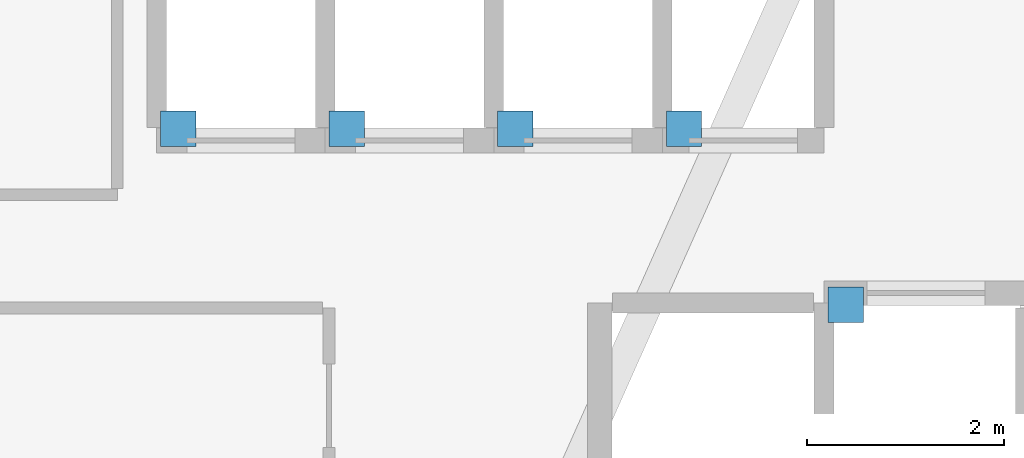
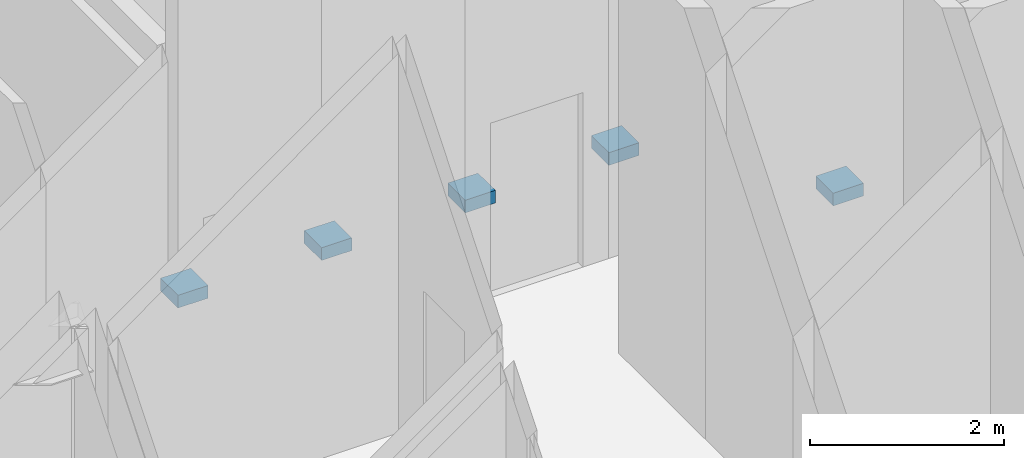
# One storey, part 9 of 15: 5 discrete accessories.
"""IFC4 building model written with IfcOpenShell, lengths in metres."""

from ifc_helpers import new_model, si_unit, direction, frame, origin, origin_2d, place, context, subcontext, project, spatial, rectangle, extrude, material, type_object, element, save


model = new_model("IFC4")

# Units and contexts
model_context = context("Model", 3, precision=1e-05, world=origin(), true_north=direction((0.0, 1.0)))
body_context = subcontext(model_context, "Body", "Model", "MODEL_VIEW")
ifc_project = project(units=[si_unit("LENGTHUNIT", "METRE"), si_unit("AREAUNIT", "SQUARE_METRE"), si_unit("VOLUMEUNIT", "CUBIC_METRE"), si_unit("PLANEANGLEUNIT", "RADIAN"), si_unit("MASSUNIT", "GRAM", prefix="KILO")], contexts=[model_context])

# Site, building, storey
site_placement = place(None, origin())
site = spatial("IfcSite", under=ifc_project, at=site_placement, CompositionType="ELEMENT")
building_placement = place(site_placement, origin())
building = spatial("IfcBuilding", under=site, at=building_placement, Name="Tharavind Bronze Gate", CompositionType="ELEMENT")
storey_placement = place(building_placement, frame((0.0, 0.0, 165.14990234375)))
storey = spatial("IfcBuildingStorey", under=building, at=storey_placement, Name="L42", CompositionType="ELEMENT", Elevation=165.14990234375)

# Discrete accessories
ifc_material = material(Name="Galvanised Steel S355", Category="steel")
discrete_accessory_type = type_object("IfcDiscreteAccessoryType", Name="LIFT GUIDE RAIL BRACKET", PredefinedType="BRACKET", material=ifc_material)
for number, where, z_axis, x_axis, name in (
    (1, (-3.280029296875, 5.3701171875, 1.1201171875), (0.0, 0.0, 1.0), (1.0, 0.0, 0.0), "Lift PL5 guide rail bracket at L42"),
    (2, (-1.5673828125, 5.3701171875, 1.1201171875), (0.0, 0.0, 1.0), (1.0, 0.0, 0.0), "Lift PL6 guide rail bracket at L42"),
    (3, (0.14501953125, 5.3701171875, 1.1201171875), (0.0, 0.0, 1.0), (1.0, 0.0, 0.0), "Lift PL7 guide rail bracket at L42"),
    (4, (1.857421875, 5.3701171875, 1.1201171875), (0.0, 0.0, 1.0), (1.0, 0.0, 0.0), "Lift PL8 guide rail bracket at L42"),
    (5, (3.5, 3.580078125, 1.1201171875), (0.0, 0.0, 1.0), (1.0, 0.0, 0.0), "Lift FFL2 guide rail bracket at L42"),
):
    element("IfcDiscreteAccessory", number, at=place(storey_placement, frame(where, z_axis=z_axis, x_axis=x_axis)), inside=storey, type_object=discrete_accessory_type, Name=name, PredefinedType="BRACKET", context=body_context, shape_type="SweptSolid", body=[
        extrude(rectangle(XDim=0.360107421875, YDim=0.360107421875, at=origin_2d()), origin(), (0.0, 0.0, 1.0), 0.159912109375),
    ])

save(model, "model.ifc")
